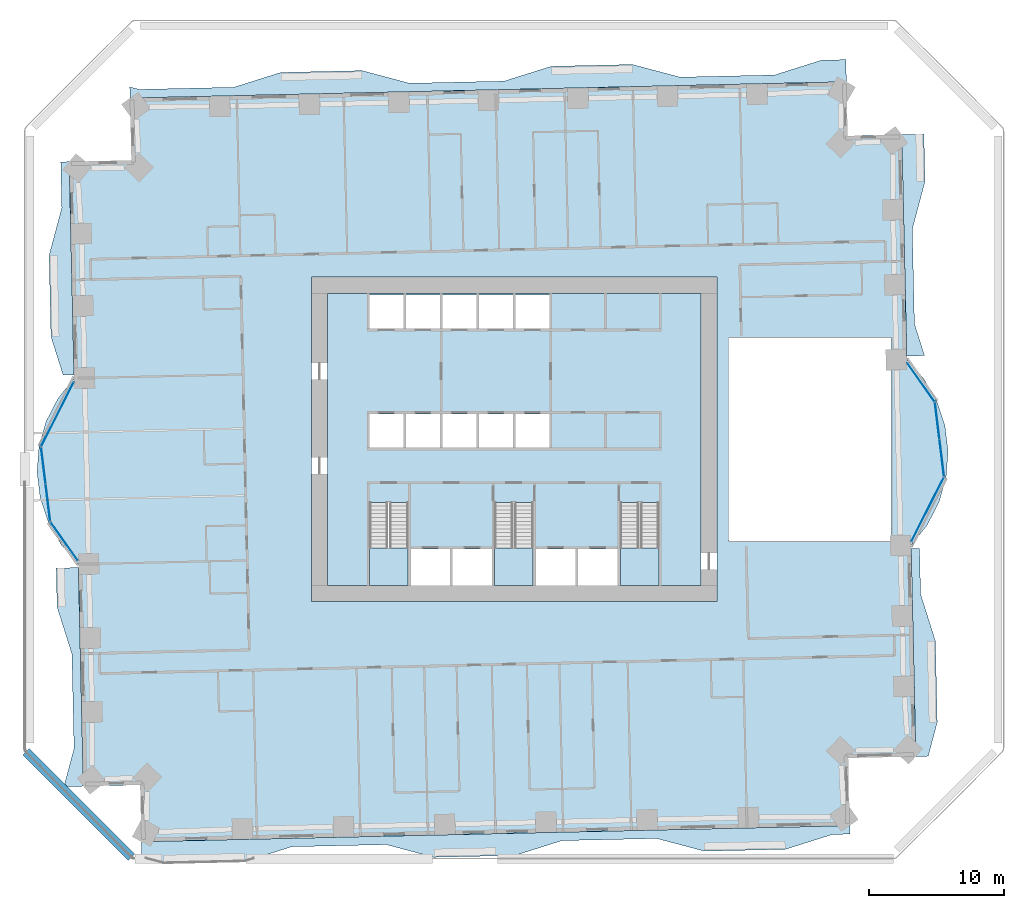
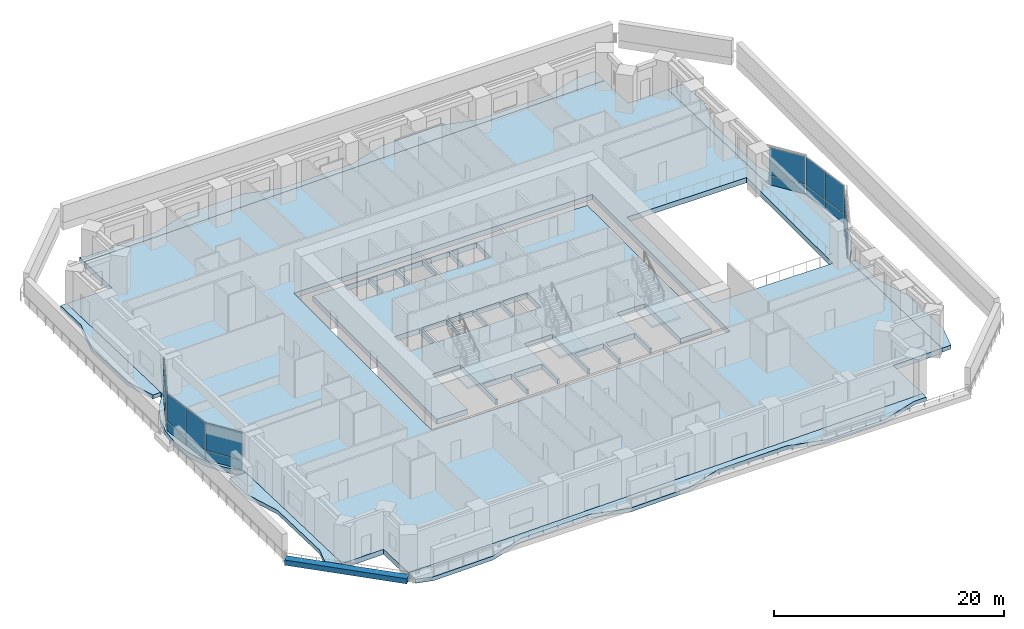
# One storey, part 9 of 21: 16 plates, 11 slabs, 1 wall, 9 elements without a shape of their own.
"""IFC4 building model written with IfcOpenShell, lengths in metres."""

from ifc_helpers import new_model, si_unit, direction, frame, frame_2d, origin, origin_2d, place, context, subcontext, project, spatial, polyline, rectangle, outline, extrude, material, layer, layer_set, type_object, element, aggregate, save


model = new_model("IFC4")

# Units and contexts
model_context = context("Model", 3, precision=1e-05, world=origin(), true_north=direction((0.0, 1.0)))
body_context = subcontext(model_context, "Body", "Model", "MODEL_VIEW")
ifc_project = project(units=[si_unit("LENGTHUNIT", "METRE"), si_unit("AREAUNIT", "SQUARE_METRE"), si_unit("VOLUMEUNIT", "CUBIC_METRE"), si_unit("PLANEANGLEUNIT", "RADIAN"), si_unit("MASSUNIT", "GRAM", prefix="KILO")], contexts=[model_context])

# Site, building, storey
site_placement = place(None, origin())
site = spatial("IfcSite", under=ifc_project, at=site_placement, CompositionType="ELEMENT")
building_placement = place(site_placement, origin())
building = spatial("IfcBuilding", under=site, at=building_placement, Name="Mangrove Gate Tower", CompositionType="ELEMENT")
storey_placement = place(building_placement, frame((0.0, 0.0, 29.5)))
storey = spatial("IfcBuildingStorey", under=building, at=storey_placement, Name="L06", CompositionType="ELEMENT", Elevation=29.5)

# Slabs
ifc_material_1 = material(Name="Porcelain tile")
ifc_layer_1 = layer(ifc_material_1, 0.02001953125, Name="Tile finish")
ifc_material_2 = material(Name="Cement sand screed")
ifc_layer_2 = layer(ifc_material_2, 0.0400390625, Name="Screed laid to falls")
ifc_material_3 = material(Name="Bituminous waterproofing membrane")
ifc_layer_3 = layer(ifc_material_3, 0.00390625, Name="Waterproofing")
ifc_material_4 = material(Name="Concrete C40/50", Category="concrete")
ifc_layer_4 = layer(ifc_material_4, 0.340087890625, Name="Balcony structural slab")
ifc_material_5 = material(Name="Limestone", Category="masonry")
ifc_layer_5 = layer(ifc_material_5, 0.01611328125, Name="Soffit lining")
ifc_layer_set_1 = layer_set([ifc_layer_1, ifc_layer_2, ifc_layer_3, ifc_layer_4, ifc_layer_5], Name="Balcony slab 420 C40/50")
slab_type_1 = type_object("IfcSlabType", Name="Balcony slab 420 C40/50", PredefinedType="FLOOR", material=ifc_layer_set_1)
slab_1_placement = place(storey_placement, frame((0.0, 0.0, -0.419921875)))
element("IfcSlab", 1, at=slab_1_placement, inside=storey, type_object=slab_type_1, Name="BALCONY L06 E0", PredefinedType="FLOOR", context=body_context, shape_type="SweptSolid", body=[
    extrude(outline(polyline([(30.6201171875, -23.425048828125), (31.2900390625, -20.908935546875), (31.154052734375, -14.909912109375), (30.056884765625, -11.43408203125), (29.98095703125, -8.06005859375), (29.35400390625, -8.074951171875), (29.429931640625, -11.448974609375), (29.510009765625, -14.947998046875), (29.64599609375, -20.946044921875), (29.702880859375, -23.445068359375), (30.6201171875, -23.425048828125)])), origin(), (0.0, 0.0, 1.0), 0.419921875),
])
slab_2_placement = place(storey_placement, frame((0.0, 0.0, -0.419921875)))
element("IfcSlab", 2, at=slab_2_placement, inside=storey, type_object=slab_type_1, Name="BALCONY L06 E1", PredefinedType="FLOOR", context=body_context, shape_type="SweptSolid", body=[
    extrude(outline(polyline([(30.346923828125, 6.201904296875), (29.60302734375, 8.56103515625), (29.445068359375, 15.55908203125), (30.382080078125, 19.0810546875), (30.302978515625, 22.580078125), (28.658935546875, 22.54296875), (28.738037109375, 19.0439453125), (28.818115234375, 15.544921875), (28.97705078125, 8.5458984375), (29.030029296875, 6.172119140625), (30.346923828125, 6.201904296875)])), origin(), (0.0, 0.0, 1.0), 0.419921875),
])
slab_3_placement = place(storey_placement, frame((0.0, 0.0, -0.419921875)))
element("IfcSlab", 3, at=slab_3_placement, inside=storey, type_object=slab_type_1, Name="BALCONY L06 N0", PredefinedType="FLOOR", context=body_context, shape_type="SweptSolid", body=[
    extrude(outline(polyline([(24.531982421875, 28.094970703125), (22.73193359375, 28.053955078125), (19.256103515625, 26.9580078125), (12.258056640625, 26.799072265625), (8.736083984375, 27.737060546875), (2.738037109375, 27.60009765625), (-0.739013671875, 26.50390625), (-7.737060546875, 26.345947265625), (-11.259033203125, 27.282958984375), (-17.257080078125, 27.14697265625), (-20.73291015625, 26.050048828125), (-27.73193359375, 25.89208984375), (-28.43603515625, 26.0791015625), (-28.4169921875, 25.2490234375), (-27.717041015625, 25.263916015625), (24.569091796875, 26.450927734375), (24.531982421875, 28.094970703125)])), origin(), (0.0, 0.0, 1.0), 0.419921875),
])
slab_4_placement = place(storey_placement, frame((0.0, 0.0, -0.419921875)))
element("IfcSlab", 4, at=slab_4_placement, inside=storey, type_object=slab_type_1, Name="BALCONY L06 W0", PredefinedType="FLOOR", context=body_context, shape_type="SweptSolid", body=[
    extrude(outline(polyline([(-33.5380859375, 20.531005859375), (-33.4609375, 17.132080078125), (-34.39892578125, 13.610107421875), (-34.262939453125, 7.611083984375), (-33.362060546875, 4.756103515625), (-32.553955078125, 4.77490234375), (-32.618896484375, 7.64892578125), (-32.7548828125, 13.64697265625), (-32.833984375, 17.14599609375), (-32.912109375, 20.544921875), (-33.5380859375, 20.531005859375)])), origin(), (0.0, 0.0, 1.0), 0.419921875),
])
slab_5_placement = place(storey_placement, frame((0.0, 0.0, -0.419921875)))
element("IfcSlab", 5, at=slab_5_placement, inside=storey, type_object=slab_type_1, Name="BALCONY L06 W1", PredefinedType="FLOOR", context=body_context, shape_type="SweptSolid", body=[
    extrude(outline(polyline([(-33.8740234375, -9.510009765625), (-33.80908203125, -12.384033203125), (-32.712890625, -15.860107421875), (-32.553955078125, -22.85791015625), (-33.303955078125, -25.675048828125), (-31.863037109375, -25.64306640625), (-31.927001953125, -22.843017578125), (-32.0859375, -15.844970703125), (-32.1650390625, -12.345947265625), (-32.22998046875, -9.471923828125), (-33.8740234375, -9.510009765625)])), origin(), (0.0, 0.0, 1.0), 0.419921875),
])
slab_6_placement = place(storey_placement, frame((0.0, 0.0, -0.419921875)))
element("IfcSlab", 6, at=slab_6_placement, inside=storey, type_object=slab_type_1, Name="BALCONY L06 S0", PredefinedType="FLOOR", context=body_context, shape_type="SweptSolid", body=[
    extrude(outline(polyline([(-27.5419921875, -30.925048828125), (-25.931884765625, -31.35400390625), (-19.93408203125, -31.218017578125), (-16.4580078125, -30.12109375), (-9.4599609375, -29.962890625), (-5.93798828125, -30.89990234375), (0.06103515625, -30.763916015625), (3.537109375, -29.66796875), (10.534912109375, -29.510009765625), (14.056884765625, -30.447021484375), (20.055908203125, -30.31103515625), (23.531982421875, -29.214111328125), (24.8310546875, -29.18408203125), (24.81689453125, -28.55810546875), (20.01806640625, -28.666015625), (-27.569091796875, -29.74609375), (-27.5419921875, -30.925048828125)])), origin(), (0.0, 0.0, 1.0), 0.419921875),
])
ifc_material_6 = material(Name="Concrete C40/50", Category="concrete")
ifc_layer_6 = layer(ifc_material_6, 0.550048828125)
ifc_layer_set_2 = layer_set([ifc_layer_6], Name="Core floor slab 550 C40/50")
slab_type_2 = type_object("IfcSlabType", Name="Core floor slab 550 C40/50", PredefinedType="FLOOR", material=ifc_layer_set_2)
slab_7_placement = place(storey_placement, frame((0.0, 0.0, -0.550048828125)))
element("IfcSlab", 7, at=slab_7_placement, inside=storey, type_object=slab_type_2, Name="SLAB-L06-CORE-1", PredefinedType="FLOOR", context=body_context, shape_type="SweptSolid", body=[
    extrude(outline(polyline([(-13.800048828125, -10.800048828125), (-13.800048828125, 10.800048828125), (13.800048828125, 10.800048828125), (13.800048828125, -10.800048828125), (10.699951171875, -10.800048828125), (10.699951171875, -4.653076171875), (7.85009765625, -4.653076171875), (7.85009765625, -10.800048828125), (7.64990234375, -10.800048828125), (7.64990234375, -8.10009765625), (4.72509765625, -8.10009765625), (4.72509765625, -10.800048828125), (4.52490234375, -10.800048828125), (4.52490234375, -8.10009765625), (1.60009765625, -8.10009765625), (1.60009765625, -10.800048828125), (1.39990234375, -10.800048828125), (1.39990234375, -4.653076171875), (-1.449951171875, -4.653076171875), (-1.449951171875, -10.800048828125), (-1.64990234375, -10.800048828125), (-1.64990234375, -8.10009765625), (-4.550048828125, -8.10009765625), (-4.550048828125, -10.800048828125), (-4.75, -10.800048828125), (-4.75, -8.10009765625), (-7.64990234375, -8.10009765625), (-7.64990234375, -10.800048828125), (-7.85009765625, -10.800048828125), (-7.85009765625, -4.653076171875), (-10.699951171875, -4.653076171875), (-10.699951171875, -10.800048828125), (-13.800048828125, -10.800048828125)]), holes=[polyline([(-8.199951171875, -0.60009765625), (-8.199951171875, 1.89990234375), (-10.699951171875, 1.89990234375), (-10.699951171875, -0.60009765625), (-8.199951171875, -0.60009765625)]), polyline([(-5.5, -0.60009765625), (-5.5, 1.89990234375), (-8.0, 1.89990234375), (-8.0, -0.60009765625), (-5.5, -0.60009765625)]), polyline([(-2.800048828125, -0.60009765625), (-2.800048828125, 1.89990234375), (-5.300048828125, 1.89990234375), (-5.300048828125, -0.60009765625), (-2.800048828125, -0.60009765625)]), polyline([(-8.199951171875, 8.199951171875), (-8.199951171875, 10.699951171875), (-10.699951171875, 10.699951171875), (-10.699951171875, 8.199951171875), (-8.199951171875, 8.199951171875)]), polyline([(-5.5, 8.199951171875), (-5.5, 10.699951171875), (-8.0, 10.699951171875), (-8.0, 8.199951171875), (-5.5, 8.199951171875)]), polyline([(-2.800048828125, 8.199951171875), (-2.800048828125, 10.699951171875), (-5.300048828125, 10.699951171875), (-5.300048828125, 8.199951171875), (-2.800048828125, 8.199951171875)]), polyline([(-0.10009765625, -0.60009765625), (-0.10009765625, 1.89990234375), (-2.60009765625, 1.89990234375), (-2.60009765625, -0.60009765625), (-0.10009765625, -0.60009765625)]), polyline([(2.60009765625, -0.60009765625), (2.60009765625, 1.89990234375), (0.10009765625, 1.89990234375), (0.10009765625, -0.60009765625), (2.60009765625, -0.60009765625)]), polyline([(-2.60009765625, 8.199951171875), (-0.10009765625, 8.199951171875), (-0.10009765625, 10.699951171875), (-2.60009765625, 10.699951171875), (-2.60009765625, 8.199951171875)]), polyline([(0.10009765625, 8.199951171875), (2.60009765625, 8.199951171875), (2.60009765625, 10.699951171875), (0.10009765625, 10.699951171875), (0.10009765625, 8.199951171875)])]), origin(), (0.0, 0.0, 1.0), 0.550048828125),
])

# Stair, slab
ifc_material_7 = material(Name="Concrete C40/50", Category="concrete")
stair_type = type_object("IfcStairType", Name="Core stair 1350", PredefinedType="HALF_TURN_STAIR", material=ifc_material_7)
stair_1_placement = place(storey_placement, origin())
stair_1 = element("IfcStair", 8, at=stair_1_placement, inside=storey, type_object=stair_type, Name="L06 Stair 1", PredefinedType="HALF_TURN_STAIR")
ifc_material_8 = material(Name="Concrete C40/50", Category="concrete")
ifc_layer_7 = layer(ifc_material_8, 0.199951171875)
ifc_layer_set_3 = layer_set([ifc_layer_7], Name="Core stair landing 200")
slab_type_3 = type_object("IfcSlabType", Name="Core stair landing 200", PredefinedType="LANDING", material=ifc_layer_set_3)
slab_8_placement = place(storey_placement, frame((0.0, 0.0, 2.10009765625)))
slab_8 = element("IfcSlab", 9, at=slab_8_placement, type_object=slab_type_3, Name="ST1 landing 1", PredefinedType="LANDING", context=body_context, shape_type="SweptSolid", body=[
    extrude(outline(polyline([(-10.699951171875, -8.010009765625), (-10.699951171875, -10.800048828125), (-7.85009765625, -10.800048828125), (-7.85009765625, -8.010009765625), (-10.699951171875, -8.010009765625)])), origin(), (0.0, 0.0, 1.0), 0.199951171875),
])
aggregate(stair_1, [slab_8])

stair_2_placement = place(storey_placement, origin())
stair_2 = element("IfcStair", 10, at=stair_2_placement, inside=storey, type_object=stair_type, Name="L06 Stair 2", PredefinedType="HALF_TURN_STAIR")
slab_9_placement = place(storey_placement, frame((0.0, 0.0, 2.10009765625)))
slab_9 = element("IfcSlab", 11, at=slab_9_placement, type_object=slab_type_3, Name="ST2 landing 1", PredefinedType="LANDING", context=body_context, shape_type="SweptSolid", body=[
    extrude(outline(polyline([(-1.449951171875, -8.010009765625), (-1.449951171875, -10.800048828125), (1.39990234375, -10.800048828125), (1.39990234375, -8.010009765625), (-1.449951171875, -8.010009765625)])), origin(), (0.0, 0.0, 1.0), 0.199951171875),
])
aggregate(stair_2, [slab_9])

stair_3_placement = place(storey_placement, origin())
stair_3 = element("IfcStair", 12, at=stair_3_placement, inside=storey, type_object=stair_type, Name="L06 Stair 3", PredefinedType="HALF_TURN_STAIR")
slab_10_placement = place(storey_placement, frame((0.0, 0.0, 2.10009765625)))
slab_10 = element("IfcSlab", 13, at=slab_10_placement, type_object=slab_type_3, Name="ST3 landing 1", PredefinedType="LANDING", context=body_context, shape_type="SweptSolid", body=[
    extrude(outline(polyline([(7.85009765625, -8.010009765625), (7.85009765625, -10.800048828125), (10.699951171875, -10.800048828125), (10.699951171875, -8.010009765625), (7.85009765625, -8.010009765625)])), origin(), (0.0, 0.0, 1.0), 0.199951171875),
])
aggregate(stair_3, [slab_10])

# Slab
ifc_material_9 = material(Name="Concrete C40/50", Category="concrete")
ifc_layer_8 = layer(ifc_material_9, 0.550048828125)
ifc_layer_set_4 = layer_set([ifc_layer_8], Name="Floor slab 550 C40/50")
slab_type_4 = type_object("IfcSlabType", Name="Floor slab 550 C40/50", PredefinedType="FLOOR", material=ifc_layer_set_4)
slab_11_placement = place(storey_placement, frame((0.0, 0.0, -0.550048828125)))
element("IfcSlab", 14, at=slab_11_placement, inside=storey, type_object=slab_type_4, Name="Floor slab L06", PredefinedType="FLOOR", context=body_context, shape_type="SweptSolid", body=[
    extrude(outline(polyline([(-27.5693359375, -29.746337890625), (24.8173828125, -28.5576171875), (24.703857421875, -23.558837890625), (29.70263671875, -23.445556640625), (29.34814453125, -7.82470703125), (30.544677734375, -6.33251953125), (31.42138671875, -4.632568359375), (31.944091796875, -2.79248046875), (32.09130859375, -0.885498046875), (31.857666015625, 1.012939453125), (31.252197265625, 2.827392578125), (30.299072265625, 4.48583984375), (29.0361328125, 5.92236328125), (28.658935546875, 22.542724609375), (24.659912109375, 22.451904296875), (24.569091796875, 26.450927734375), (-28.417236328125, 25.24853515625), (-28.312744140625, 20.649658203125), (-32.91162109375, 20.54541015625), (-32.548095703125, 4.524658203125), (-33.74462890625, 3.032470703125), (-34.62158203125, 1.33251953125), (-35.14404296875, -0.507568359375), (-35.291259765625, -2.41455078125), (-35.0576171875, -4.31298828125), (-34.4521484375, -6.12744140625), (-33.4990234375, -7.785888671875), (-32.236083984375, -9.222412109375), (-31.863525390625, -25.642822265625), (-27.66455078125, -25.547607421875), (-27.5693359375, -29.746337890625)]), holes=[polyline([(15.89990234375, 7.5), (27.922119140625, 7.5), (27.922119140625, -7.5), (15.89990234375, -7.5), (15.89990234375, 7.5)]), polyline([(-15.0, -12.0), (-15.0, 12.0), (15.0, 12.0), (15.0, -12.0), (-15.0, -12.0)])]), origin(), (0.0, 0.0, 1.0), 0.550048828125),
])

# Curtain wall, plates
ifc_material_10 = material(Name="Aluminium and glass curtain wall", Category="aluminium")
curtain_wall_type = type_object("IfcCurtainWallType", Name="Sky-lounge glazing wall", PredefinedType="NOTDEFINED", material=ifc_material_10)
curtain_wall_1_placement = place(storey_placement, origin())
curtain_wall_1 = element("IfcCurtainWall", 15, at=curtain_wall_1_placement, inside=storey, type_object=curtain_wall_type, Name="Sky-lounge glazing E1f1", PredefinedType="NOTDEFINED")
ifc_material_11 = material(Name="Laminated low-e glass", Category="glass")
ifc_layer_9 = layer(ifc_material_11, 0.030029296875)
ifc_layer_set_5 = layer_set([ifc_layer_9], Name="Sky-lounge glazing panel 30")
plate_type = type_object("IfcPlateType", Name="Sky-lounge glazing panel 30", PredefinedType="CURTAIN_PANEL", material=ifc_layer_set_5)
plate_1_placement = place(storey_placement, frame((30.573974609375, -5.1728515625, 0.0), z_axis=(0.0, 0.0, 1.0), x_axis=(0.452600233136, 0.89171353526, 0.0)))
plate_1 = element("IfcPlate", 16, at=plate_1_placement, type_object=plate_type, Name="CWK panel 1.1", PredefinedType="CURTAIN_PANEL", context=body_context, shape_type="SweptSolid", body=[
    extrude(rectangle(XDim=5.278076171875, YDim=0.030029296875, at=origin_2d()), origin(), (0.0, 0.0, 1.0), 0.969970703125),
])
plate_2_placement = place(storey_placement, frame((30.573974609375, -5.1728515625, 1.030029296875), z_axis=(0.0, 0.0, 1.0), x_axis=(0.452600233136, 0.89171353526, 0.0)))
plate_2 = element("IfcPlate", 17, at=plate_2_placement, type_object=plate_type, Name="CWK panel 1.2", PredefinedType="CURTAIN_PANEL", context=body_context, shape_type="SweptSolid", body=[
    extrude(rectangle(XDim=5.278076171875, YDim=0.030029296875, at=origin_2d()), origin(), (0.0, 0.0, 1.0), 2.9599609375),
])
aggregate(curtain_wall_1, [plate_1, plate_2])

curtain_wall_2_placement = place(storey_placement, origin())
curtain_wall_2 = element("IfcCurtainWall", 18, at=curtain_wall_2_placement, inside=storey, type_object=curtain_wall_type, Name="Sky-lounge glazing E1f2", PredefinedType="NOTDEFINED")
plate_3_placement = place(storey_placement, frame((31.62353515625, -1.3681640625, 0.0), z_axis=(0.0, 0.0, 1.0), x_axis=(-0.122172285885, 0.992508908051, 0.0)))
plate_3 = element("IfcPlate", 19, at=plate_3_placement, type_object=plate_type, Name="CWK panel 1.1", PredefinedType="CURTAIN_PANEL", context=body_context, shape_type="SweptSolid", body=[
    extrude(rectangle(XDim=2.69677734375, YDim=0.030029296875, at=origin_2d()), origin(), (0.0, 0.0, 1.0), 0.969970703125),
])
plate_4_placement = place(storey_placement, frame((31.62353515625, -1.3681640625, 1.030029296875), z_axis=(0.0, 0.0, 1.0), x_axis=(-0.122172285885, 0.992508908051, 0.0)))
plate_4 = element("IfcPlate", 20, at=plate_4_placement, type_object=plate_type, Name="CWK panel 1.2", PredefinedType="CURTAIN_PANEL", context=body_context, shape_type="SweptSolid", body=[
    extrude(rectangle(XDim=2.69677734375, YDim=0.030029296875, at=origin_2d()), origin(), (0.0, 0.0, 1.0), 2.9599609375),
])
plate_5_placement = place(storey_placement, frame((31.28662109375, 1.367919921875, 0.0), z_axis=(0.0, 0.0, 1.0), x_axis=(-0.122172285885, 0.992508908051, 0.0)))
plate_5 = element("IfcPlate", 21, at=plate_5_placement, type_object=plate_type, Name="CWK panel 2.1", PredefinedType="CURTAIN_PANEL", context=body_context, shape_type="SweptSolid", body=[
    extrude(rectangle(XDim=2.69677734375, YDim=0.030029296875, at=origin_2d()), origin(), (0.0, 0.0, 1.0), 0.969970703125),
])
plate_6_placement = place(storey_placement, frame((31.28662109375, 1.367919921875, 1.030029296875), z_axis=(0.0, 0.0, 1.0), x_axis=(-0.122172285885, 0.992508908051, 0.0)))
plate_6 = element("IfcPlate", 22, at=plate_6_placement, type_object=plate_type, Name="CWK panel 2.2", PredefinedType="CURTAIN_PANEL", context=body_context, shape_type="SweptSolid", body=[
    extrude(rectangle(XDim=2.69677734375, YDim=0.030029296875, at=origin_2d()), origin(), (0.0, 0.0, 1.0), 2.9599609375),
])
aggregate(curtain_wall_2, [plate_3, plate_4, plate_5, plate_6])

curtain_wall_3_placement = place(storey_placement, origin())
curtain_wall_3 = element("IfcCurtainWall", 23, at=curtain_wall_3_placement, inside=storey, type_object=curtain_wall_type, Name="Sky-lounge glazing E1f3", PredefinedType="NOTDEFINED")
plate_7_placement = place(storey_placement, frame((30.0830078125, 4.2216796875, 0.0), z_axis=(0.0, 0.0, 1.0), x_axis=(-0.578122631637, 0.815949889877, 0.0)))
plate_7 = element("IfcPlate", 24, at=plate_7_placement, type_object=plate_type, Name="CWK panel 1.1", PredefinedType="CURTAIN_PANEL", context=body_context, shape_type="SweptSolid", body=[
    extrude(rectangle(XDim=3.44873046875, YDim=0.030029296875, at=origin_2d()), origin(), (0.0, 0.0, 1.0), 0.969970703125),
])
plate_8_placement = place(storey_placement, frame((30.0830078125, 4.2216796875, 1.030029296875), z_axis=(0.0, 0.0, 1.0), x_axis=(-0.578122631637, 0.815949889877, 0.0)))
plate_8 = element("IfcPlate", 25, at=plate_8_placement, type_object=plate_type, Name="CWK panel 1.2", PredefinedType="CURTAIN_PANEL", context=body_context, shape_type="SweptSolid", body=[
    extrude(rectangle(XDim=3.44873046875, YDim=0.030029296875, at=origin_2d()), origin(), (0.0, 0.0, 1.0), 2.9599609375),
])
aggregate(curtain_wall_3, [plate_7, plate_8])

curtain_wall_4_placement = place(storey_placement, origin())
curtain_wall_4 = element("IfcCurtainWall", 26, at=curtain_wall_4_placement, inside=storey, type_object=curtain_wall_type, Name="Sky-lounge glazing W9f1", PredefinedType="NOTDEFINED")
plate_9_placement = place(storey_placement, frame((-33.77392578125, 1.872802734375, 0.0), z_axis=(0.0, 0.0, 1.0), x_axis=(-0.452600221433, -0.8917135412, 0.0)))
plate_9 = element("IfcPlate", 27, at=plate_9_placement, type_object=plate_type, Name="CWK panel 1.1", PredefinedType="CURTAIN_PANEL", context=body_context, shape_type="SweptSolid", body=[
    extrude(rectangle(XDim=5.278076171875, YDim=0.030029296875, at=origin_2d()), origin(), (0.0, 0.0, 1.0), 0.969970703125),
])
plate_10_placement = place(storey_placement, frame((-33.77392578125, 1.872802734375, 1.030029296875), z_axis=(0.0, 0.0, 1.0), x_axis=(-0.452600221433, -0.8917135412, 0.0)))
plate_10 = element("IfcPlate", 28, at=plate_10_placement, type_object=plate_type, Name="CWK panel 1.2", PredefinedType="CURTAIN_PANEL", context=body_context, shape_type="SweptSolid", body=[
    extrude(rectangle(XDim=5.278076171875, YDim=0.030029296875, at=origin_2d()), origin(), (0.0, 0.0, 1.0), 2.9599609375),
])
aggregate(curtain_wall_4, [plate_9, plate_10])

curtain_wall_5_placement = place(storey_placement, origin())
curtain_wall_5 = element("IfcCurtainWall", 29, at=curtain_wall_5_placement, inside=storey, type_object=curtain_wall_type, Name="Sky-lounge glazing W9f2", PredefinedType="NOTDEFINED")
plate_11_placement = place(storey_placement, frame((-34.823486328125, -1.931884765625, 0.0), z_axis=(0.0, 0.0, 1.0), x_axis=(0.122172285885, -0.992508908051, 0.0)))
plate_11 = element("IfcPlate", 30, at=plate_11_placement, type_object=plate_type, Name="CWK panel 1.1", PredefinedType="CURTAIN_PANEL", context=body_context, shape_type="SweptSolid", body=[
    extrude(rectangle(XDim=2.69677734375, YDim=0.030029296875, at=origin_2d()), origin(), (0.0, 0.0, 1.0), 0.969970703125),
])
plate_12_placement = place(storey_placement, frame((-34.823486328125, -1.931884765625, 1.030029296875), z_axis=(0.0, 0.0, 1.0), x_axis=(0.122172285885, -0.992508908051, 0.0)))
plate_12 = element("IfcPlate", 31, at=plate_12_placement, type_object=plate_type, Name="CWK panel 1.2", PredefinedType="CURTAIN_PANEL", context=body_context, shape_type="SweptSolid", body=[
    extrude(rectangle(XDim=2.69677734375, YDim=0.030029296875, at=origin_2d()), origin(), (0.0, 0.0, 1.0), 2.9599609375),
])
plate_13_placement = place(storey_placement, frame((-34.48681640625, -4.66796875, 0.0), z_axis=(0.0, 0.0, 1.0), x_axis=(0.122172285885, -0.992508908051, 0.0)))
plate_13 = element("IfcPlate", 32, at=plate_13_placement, type_object=plate_type, Name="CWK panel 2.1", PredefinedType="CURTAIN_PANEL", context=body_context, shape_type="SweptSolid", body=[
    extrude(rectangle(XDim=2.69677734375, YDim=0.030029296875, at=origin_2d()), origin(), (0.0, 0.0, 1.0), 0.969970703125),
])
plate_14_placement = place(storey_placement, frame((-34.48681640625, -4.66796875, 1.030029296875), z_axis=(0.0, 0.0, 1.0), x_axis=(0.122172285885, -0.992508908051, 0.0)))
plate_14 = element("IfcPlate", 33, at=plate_14_placement, type_object=plate_type, Name="CWK panel 2.2", PredefinedType="CURTAIN_PANEL", context=body_context, shape_type="SweptSolid", body=[
    extrude(rectangle(XDim=2.69677734375, YDim=0.030029296875, at=origin_2d()), origin(), (0.0, 0.0, 1.0), 2.9599609375),
])
aggregate(curtain_wall_5, [plate_11, plate_12, plate_13, plate_14])

curtain_wall_6_placement = place(storey_placement, origin())
curtain_wall_6 = element("IfcCurtainWall", 34, at=curtain_wall_6_placement, inside=storey, type_object=curtain_wall_type, Name="Sky-lounge glazing W9f3", PredefinedType="NOTDEFINED")
plate_15_placement = place(storey_placement, frame((-33.283203125, -7.521728515625, 0.0), z_axis=(0.0, 0.0, 1.0), x_axis=(0.578122868735, -0.815949721886, 0.0)))
plate_15 = element("IfcPlate", 35, at=plate_15_placement, type_object=plate_type, Name="CWK panel 1.1", PredefinedType="CURTAIN_PANEL", context=body_context, shape_type="SweptSolid", body=[
    extrude(rectangle(XDim=3.44873046875, YDim=0.030029296875, at=origin_2d()), origin(), (0.0, 0.0, 1.0), 0.969970703125),
])
plate_16_placement = place(storey_placement, frame((-33.283203125, -7.521728515625, 1.030029296875), z_axis=(0.0, 0.0, 1.0), x_axis=(0.578122868735, -0.815949721886, 0.0)))
plate_16 = element("IfcPlate", 36, at=plate_16_placement, type_object=plate_type, Name="CWK panel 1.2", PredefinedType="CURTAIN_PANEL", context=body_context, shape_type="SweptSolid", body=[
    extrude(rectangle(XDim=3.44873046875, YDim=0.030029296875, at=origin_2d()), origin(), (0.0, 0.0, 1.0), 2.9599609375),
])
aggregate(curtain_wall_6, [plate_15, plate_16])

# Wall
ifc_layer_10 = layer(ifc_material_5, 0.699951171875, Name="Limestone cornice course")
ifc_layer_set_6 = layer_set([ifc_layer_10], Name="Podium cornice 700 limestone")
wall_type = type_object("IfcWallType", Name="Podium cornice 700 limestone", PredefinedType="STANDARD", material=ifc_layer_set_6)
wall_placement = place(storey_placement, frame((-36.096923828125, -23.10302734375, 0.0), z_axis=(0.0, 0.0, 1.0), x_axis=(0.707106781187, -0.707106781187, 0.0)))
element("IfcWall", 37, at=wall_placement, inside=storey, type_object=wall_type, Name="Podium cornice S 1", PredefinedType="STANDARD", context=body_context, shape_type="SweptSolid", body=[
    extrude(rectangle(XDim=11.022216796875, YDim=0.699951171875, at=frame_2d((5.51123046875, 0.0))), origin(), (0.0, 0.0, 1.0), 0.550048828125),
])

save(model, "model.ifc")
